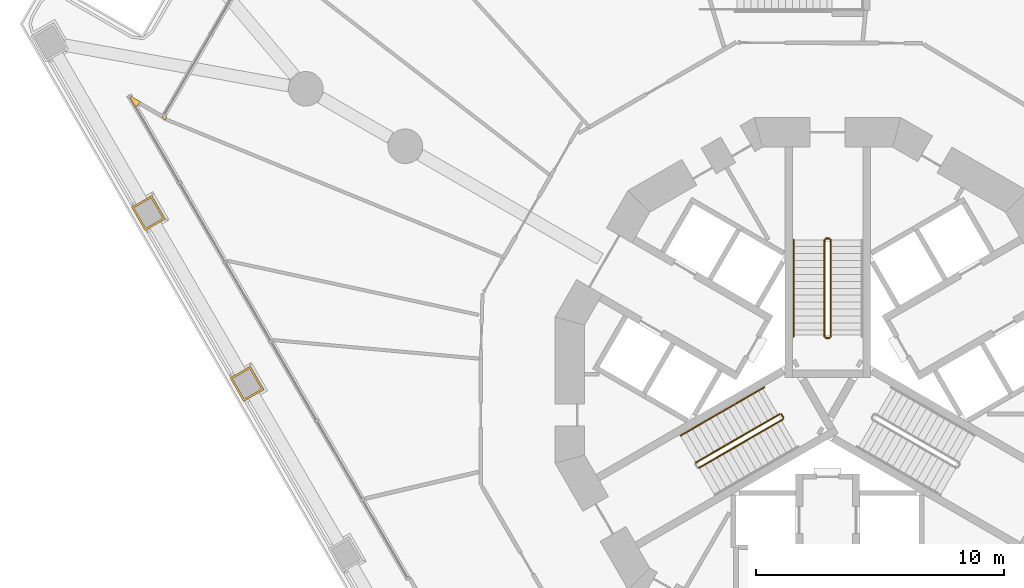
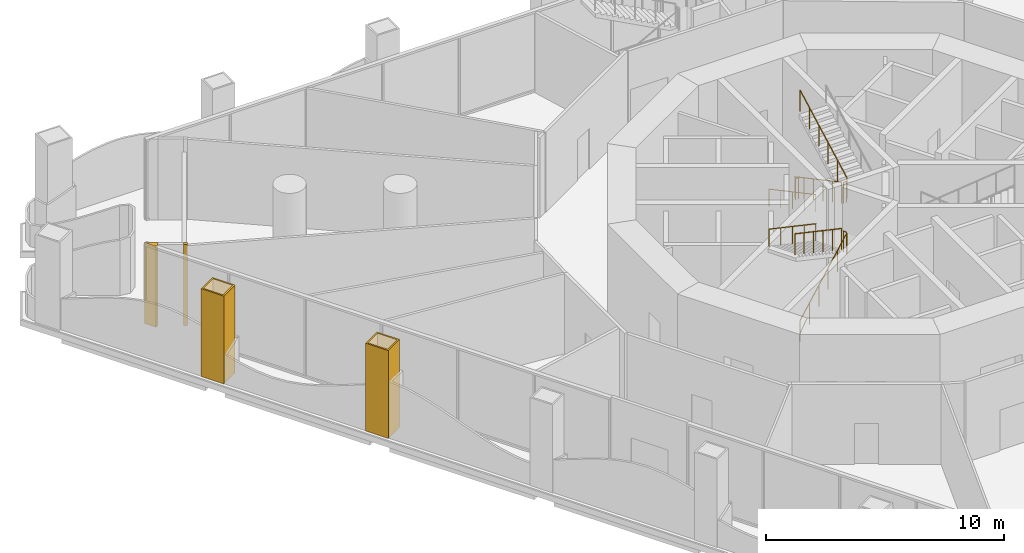
# One storey, part 19 of 22: 10 railings, 4 coverings.
"""IFC4 building model written with IfcOpenShell, lengths in metres."""

from ifc_helpers import new_model, si_unit, direction, frame, origin, origin_2d, place, context, subcontext, project, spatial, polyline, circle, outline, extrude, material, layer, layer_set, type_object, element, save


model = new_model("IFC4")

# Units and contexts
model_context = context("Model", 3, precision=1e-05, world=origin(), true_north=direction((0.0, 1.0)))
body_context = subcontext(model_context, "Body", "Model", "MODEL_VIEW")
ifc_project = project(units=[si_unit("LENGTHUNIT", "METRE"), si_unit("AREAUNIT", "SQUARE_METRE"), si_unit("VOLUMEUNIT", "CUBIC_METRE"), si_unit("PLANEANGLEUNIT", "RADIAN"), si_unit("MASSUNIT", "GRAM", prefix="KILO")], contexts=[model_context])

# Site, building, storey
site_placement = place(None, origin())
site = spatial("IfcSite", under=ifc_project, at=site_placement, CompositionType="ELEMENT")
building_placement = place(site_placement, origin())
building = spatial("IfcBuilding", under=site, at=building_placement, Name="Trine Commons Tower", CompositionType="ELEMENT")
storey_placement = place(building_placement, frame((0.0, 0.0, 22.5)))
storey = spatial("IfcBuildingStorey", under=building, at=storey_placement, Name="L04", CompositionType="ELEMENT", Elevation=22.5)

# Coverings
ifc_material_1 = material(Name="Aluminium-framed insulated wall panel", Category="aluminium")
ifc_layer_1 = layer(ifc_material_1, 0.14990234375)
ifc_layer_set_1 = layer_set([ifc_layer_1], Name="Aluminium-framed insulated wall panel")
covering_type_1 = type_object("IfcCoveringType", Name="Glazing corner post, aluminium", PredefinedType="CLADDING", material=ifc_layer_set_1)
covering_1_placement = place(storey_placement, origin())
element("IfcCovering", 1, at=covering_1_placement, inside=storey, type_object=covering_type_1, Name="Glazing corner post 1-01", PredefinedType="CLADDING", context=body_context, shape_type="SweptSolid", body=[
    extrude(outline(polyline([(51.75634765625, 74.43017578125), (51.75634765625, 74.43017578125), (52.036376953125, 73.9453125), (52.166259765625, 74.020263671875), (52.166259765625, 74.020263671875), (52.166259765625, 74.020263671875), (52.166259765625, 74.020263671875), (52.2412109375, 74.150146484375), (51.75634765625, 74.43017578125)])), origin(), (0.0, 0.0, 1.0), 4.14990234375),
])
covering_2_placement = place(storey_placement, origin())
element("IfcCovering", 2, at=covering_2_placement, inside=storey, type_object=covering_type_1, Name="Glazing corner post 1-02", PredefinedType="CLADDING", context=body_context, shape_type="SweptSolid", body=[
    extrude(outline(polyline([(53.1064453125, 73.4775390625), (53.236328125, 73.402587890625), (53.311279296875, 73.532470703125), (53.181396484375, 73.607421875), (53.1064453125, 73.4775390625)])), origin(), (0.0, 0.0, 1.0), 4.14990234375),
])
ifc_material_2 = material(Name="Limestone, honed", Category="masonry")
ifc_layer_2 = layer(ifc_material_2, 0.074951171875)
ifc_layer_set_2 = layer_set([ifc_layer_2], Name="Limestone, honed")
covering_type_2 = type_object("IfcCoveringType", Name="Limestone column cladding 75", PredefinedType="CLADDING", material=ifc_layer_set_2)
covering_3_placement = place(storey_placement, origin())
element("IfcCovering", 3, at=covering_3_placement, inside=storey, type_object=covering_type_2, Name="Limestone pier cladding 1-06", PredefinedType="CLADDING", context=body_context, shape_type="SweptSolid", body=[
    extrude(outline(polyline([(56.68359375, 63.46630859375), (55.860595703125, 62.9912109375), (56.41064453125, 62.03857421875), (57.2333984375, 62.513671875), (56.68359375, 63.46630859375)]), holes=[polyline([(56.656005859375, 63.36376953125), (55.963134765625, 62.9638671875), (56.438232421875, 62.14111328125), (57.131103515625, 62.541015625), (56.656005859375, 63.36376953125)])]), origin(), (0.0, 0.0, 1.0), 4.5),
])
covering_4_placement = place(storey_placement, origin())
element("IfcCovering", 4, at=covering_4_placement, inside=storey, type_object=covering_type_2, Name="Limestone pier cladding 1-07", PredefinedType="CLADDING", context=body_context, shape_type="SweptSolid", body=[
    extrude(outline(polyline([(52.701904296875, 70.36279296875), (51.87890625, 69.8876953125), (52.428955078125, 68.93505859375), (53.251708984375, 69.41015625), (52.701904296875, 70.36279296875)]), holes=[polyline([(52.67431640625, 70.26025390625), (51.9814453125, 69.8603515625), (52.45654296875, 69.03759765625), (53.1494140625, 69.4375), (52.67431640625, 70.26025390625)])]), origin(), (0.0, 0.0, 1.0), 4.5),
])

# Railings
ifc_material_3 = material(Name="Stainless steel balustrade", Category="steel")
railing_type_1 = type_object("IfcRailingType", Name="Stair guard, steel balustrade 1100", PredefinedType="GUARDRAIL", material=ifc_material_3)
railing_1_placement = place(storey_placement, frame((79.875, 68.570556640625, 0.14990234375)))
element("IfcRailing", 5, at=railing_1_placement, inside=storey, type_object=railing_type_1, Name="L04 ST1A stair guard 1", PredefinedType="GUARDRAIL", context=body_context, shape_type="SweptSolid", body=[
    extrude(circle(Radius=0.02392578125, at=origin_2d()), frame((0.0, 0.0, 1.076171875), z_axis=(0.0, -0.881466911329, 0.472245787945), x_axis=(1.0, 0.0, 0.0)), (0.0, 0.0, 1.0), 4.447021484375),
    extrude(circle(Radius=0.02099609375, at=origin_2d()), origin(), (0.0, 0.0, 1.0), 1.052001953125),
    extrude(circle(Radius=0.02099609375, at=origin_2d()), frame((0.0, -0.783935546875, 0.419921875)), (0.0, 0.0, 1.0), 1.052001953125),
    extrude(circle(Radius=0.02099609375, at=origin_2d()), frame((0.0, -1.56787109375, 0.840087890625)), (0.0, 0.0, 1.0), 1.052001953125),
    extrude(circle(Radius=0.02099609375, at=origin_2d()), frame((0.0, -2.35205078125, 1.260009765625)), (0.0, 0.0, 1.0), 1.052001953125),
    extrude(circle(Radius=0.02099609375, at=origin_2d()), frame((0.0, -3.135986328125, 1.68017578125)), (0.0, 0.0, 1.0), 1.052001953125),
    extrude(circle(Radius=0.02099609375, at=origin_2d()), frame((0.0, -3.919921875, 2.10009765625)), (0.0, 0.0, 1.0), 1.052001953125),
])
railing_2_placement = place(storey_placement, frame((79.925048828125, 64.6005859375, 2.25)))
element("IfcRailing", 6, at=railing_2_placement, inside=storey, type_object=railing_type_1, Name="L04 ST1A stair guard 2", PredefinedType="GUARDRAIL", context=body_context, shape_type="SweptSolid", body=[
    extrude(circle(Radius=0.02392578125, at=origin_2d()), frame((0.0, 0.0, 1.076171875), z_axis=(1.0, 0.0, 0.0), x_axis=(0.0, 1.0, 0.0)), (0.0, 0.0, 1.0), 0.14990234375),
    extrude(circle(Radius=0.02099609375, at=origin_2d()), origin(), (0.0, 0.0, 1.0), 1.052001953125),
    extrude(circle(Radius=0.02099609375, at=origin_2d()), frame((0.14990234375, 0.0, 0.0)), (0.0, 0.0, 1.0), 1.052001953125),
])
railing_3_placement = place(storey_placement, frame((80.125, 64.650634765625, 2.39990234375)))
element("IfcRailing", 7, at=railing_3_placement, inside=storey, type_object=railing_type_1, Name="L04 ST1A stair guard 3", PredefinedType="GUARDRAIL", context=body_context, shape_type="SweptSolid", body=[
    extrude(circle(Radius=0.02392578125, at=origin_2d()), frame((0.0, 0.0, 1.076171875), z_axis=(0.0, 0.881466911329, 0.472245787945), x_axis=(-1.0, 0.0, 0.0)), (0.0, 0.0, 1.0), 4.447021484375),
    extrude(circle(Radius=0.02099609375, at=origin_2d()), origin(), (0.0, 0.0, 1.0), 1.052001953125),
    extrude(circle(Radius=0.02099609375, at=origin_2d()), frame((0.0, 0.783935546875, 0.419921875)), (0.0, 0.0, 1.0), 1.052001953125),
    extrude(circle(Radius=0.02099609375, at=origin_2d()), frame((0.0, 1.56787109375, 0.840087890625)), (0.0, 0.0, 1.0), 1.052001953125),
    extrude(circle(Radius=0.02099609375, at=origin_2d()), frame((0.0, 2.35205078125, 1.260009765625)), (0.0, 0.0, 1.0), 1.052001953125),
    extrude(circle(Radius=0.02099609375, at=origin_2d()), frame((0.0, 3.135986328125, 1.68017578125)), (0.0, 0.0, 1.0), 1.052001953125),
    extrude(circle(Radius=0.02099609375, at=origin_2d()), frame((0.0, 3.919921875, 2.10009765625)), (0.0, 0.0, 1.0), 1.052001953125),
])
railing_4_placement = place(storey_placement, frame((79.925048828125, 68.62060546875, 0.0)))
element("IfcRailing", 8, at=railing_4_placement, inside=storey, type_object=railing_type_1, Name="L04 ST1A stair guard 4", PredefinedType="GUARDRAIL", context=body_context, shape_type="SweptSolid", body=[
    extrude(circle(Radius=0.02392578125, at=origin_2d()), frame((0.0, 0.0, 1.076171875), z_axis=(1.0, 0.0, 0.0), x_axis=(0.0, 1.0, 0.0)), (0.0, 0.0, 1.0), 0.14990234375),
    extrude(circle(Radius=0.02099609375, at=origin_2d()), origin(), (0.0, 0.0, 1.0), 1.052001953125),
    extrude(circle(Radius=0.02099609375, at=origin_2d()), frame((0.14990234375, 0.0, 0.0)), (0.0, 0.0, 1.0), 1.052001953125),
])
railing_5_placement = place(storey_placement, frame((74.80517578125, 59.3564453125, 0.14990234375)))
element("IfcRailing", 9, at=railing_5_placement, inside=storey, type_object=railing_type_1, Name="L04 ST2A stair guard 1", PredefinedType="GUARDRAIL", context=body_context, shape_type="SweptSolid", body=[
    extrude(circle(Radius=0.02392578125, at=origin_2d()), frame((0.0, 0.0, 1.076171875), z_axis=(0.763374939589, 0.440731680332, 0.472243885677), x_axis=(-0.499997407846, 0.86602690036, 0.0)), (0.0, 0.0, 1.0), 4.447021484375),
    extrude(circle(Radius=0.02099609375, at=origin_2d()), origin(), (0.0, 0.0, 1.0), 1.052001953125),
    extrude(circle(Radius=0.02099609375, at=origin_2d()), frame((0.678955078125, 0.39208984375, 0.419921875)), (0.0, 0.0, 1.0), 1.052001953125),
    extrude(circle(Radius=0.02099609375, at=origin_2d()), frame((1.35791015625, 0.783935546875, 0.840087890625)), (0.0, 0.0, 1.0), 1.052001953125),
    extrude(circle(Radius=0.02099609375, at=origin_2d()), frame((2.036865234375, 1.176025390625, 1.260009765625)), (0.0, 0.0, 1.0), 1.052001953125),
    extrude(circle(Radius=0.02099609375, at=origin_2d()), frame((2.7158203125, 1.56787109375, 1.68017578125)), (0.0, 0.0, 1.0), 1.052001953125),
    extrude(circle(Radius=0.02099609375, at=origin_2d()), frame((3.394775390625, 1.9599609375, 2.10009765625)), (0.0, 0.0, 1.0), 1.052001953125),
])
railing_6_placement = place(storey_placement, frame((78.21826171875, 61.384765625, 2.25)))
element("IfcRailing", 10, at=railing_6_placement, inside=storey, type_object=railing_type_1, Name="L04 ST2A stair guard 2", PredefinedType="GUARDRAIL", context=body_context, shape_type="SweptSolid", body=[
    extrude(circle(Radius=0.02392578125, at=origin_2d()), frame((0.0, 0.0, 1.076171875), z_axis=(-0.499816412211, 0.866131372301, 0.0), x_axis=(-0.866131372301, -0.499816412211, 0.0)), (0.0, 0.0, 1.0), 0.14990234375),
    extrude(circle(Radius=0.02099609375, at=origin_2d()), origin(), (0.0, 0.0, 1.0), 1.052001953125),
    extrude(circle(Radius=0.02099609375, at=origin_2d()), frame((-0.074951171875, 0.1298828125, 0.0)), (0.0, 0.0, 1.0), 1.052001953125),
])
railing_7_placement = place(storey_placement, frame((78.074951171875, 61.532958984375, 2.39990234375)))
element("IfcRailing", 11, at=railing_7_placement, inside=storey, type_object=railing_type_1, Name="L04 ST2A stair guard 3", PredefinedType="GUARDRAIL", context=body_context, shape_type="SweptSolid", body=[
    extrude(circle(Radius=0.02392578125, at=origin_2d()), frame((0.0, 0.0, 1.076171875), z_axis=(-0.763374939589, -0.440731680332, 0.472243885677), x_axis=(0.499997407846, -0.86602690036, 0.0)), (0.0, 0.0, 1.0), 4.447021484375),
    extrude(circle(Radius=0.02099609375, at=origin_2d()), origin(), (0.0, 0.0, 1.0), 1.052001953125),
    extrude(circle(Radius=0.02099609375, at=origin_2d()), frame((-0.678955078125, -0.39208984375, 0.419921875)), (0.0, 0.0, 1.0), 1.052001953125),
    extrude(circle(Radius=0.02099609375, at=origin_2d()), frame((-1.35791015625, -0.783935546875, 0.840087890625)), (0.0, 0.0, 1.0), 1.052001953125),
    extrude(circle(Radius=0.02099609375, at=origin_2d()), frame((-2.036865234375, -1.176025390625, 1.260009765625)), (0.0, 0.0, 1.0), 1.052001953125),
    extrude(circle(Radius=0.02099609375, at=origin_2d()), frame((-2.7158203125, -1.56787109375, 1.68017578125)), (0.0, 0.0, 1.0), 1.052001953125),
    extrude(circle(Radius=0.02099609375, at=origin_2d()), frame((-3.394775390625, -1.9599609375, 2.10009765625)), (0.0, 0.0, 1.0), 1.052001953125),
])
ifc_material_4 = material(Name="Stainless steel handrail", Category="steel")
railing_type_2 = type_object("IfcRailingType", Name="Stair handrail, steel 900", PredefinedType="HANDRAIL", material=ifc_material_4)
railing_8_placement = place(storey_placement, frame((78.625, 68.570556640625, 0.14990234375)))
element("IfcRailing", 12, at=railing_8_placement, inside=storey, type_object=railing_type_2, Name="L04 ST1A stair handrail 1", PredefinedType="HANDRAIL", context=body_context, shape_type="SweptSolid", body=[
    extrude(circle(Radius=0.02099609375, at=origin_2d()), frame((0.0, 0.0, 0.87890625), z_axis=(0.0, -0.881466911329, 0.472245787945), x_axis=(1.0, 0.0, 0.0)), (0.0, 0.0, 1.0), 4.447021484375),
    extrude(circle(Radius=0.01513671875, at=origin_2d()), origin(), (0.0, 0.0, 1.0), 0.85791015625),
    extrude(circle(Radius=0.01513671875, at=origin_2d()), frame((0.0, -0.97998046875, 0.52490234375)), (0.0, 0.0, 1.0), 0.85791015625),
    extrude(circle(Radius=0.01513671875, at=origin_2d()), frame((0.0, -1.9599609375, 1.050048828125)), (0.0, 0.0, 1.0), 0.85791015625),
    extrude(circle(Radius=0.01513671875, at=origin_2d()), frame((0.0, -2.93994140625, 1.5751953125)), (0.0, 0.0, 1.0), 0.85791015625),
    extrude(circle(Radius=0.01513671875, at=origin_2d()), frame((0.0, -3.919921875, 2.10009765625)), (0.0, 0.0, 1.0), 0.85791015625),
])
railing_9_placement = place(storey_placement, frame((77.449951171875, 62.615478515625, 2.39990234375)))
element("IfcRailing", 13, at=railing_9_placement, inside=storey, type_object=railing_type_2, Name="L04 ST2A stair handrail 3", PredefinedType="HANDRAIL", context=body_context, shape_type="SweptSolid", body=[
    extrude(circle(Radius=0.02099609375, at=origin_2d()), frame((0.0, 0.0, 0.87890625), z_axis=(-0.763352030933, -0.440750151347, 0.472263677365), x_axis=(0.500024377727, -0.866011328839, 0.0)), (0.0, 0.0, 1.0), 2.223388671875),
    extrude(circle(Radius=0.01513671875, at=origin_2d()), origin(), (0.0, 0.0, 1.0), 0.85791015625),
    extrude(circle(Radius=0.01513671875, at=origin_2d()), frame((-0.8486328125, -0.489990234375, 0.52490234375)), (0.0, 0.0, 1.0), 0.85791015625),
    extrude(circle(Radius=0.01513671875, at=origin_2d()), frame((-1.697265625, -0.97998046875, 1.050048828125)), (0.0, 0.0, 1.0), 0.85791015625),
])
railing_10_placement = place(storey_placement, frame((75.752685546875, 61.635498046875, 3.449951171875)))
element("IfcRailing", 14, at=railing_10_placement, inside=storey, type_object=railing_type_2, Name="L04 ST2A stair handrail 4", PredefinedType="HANDRAIL", context=body_context, shape_type="SweptSolid", body=[
    extrude(circle(Radius=0.02099609375, at=origin_2d()), frame((0.0, 0.0, 0.87890625), z_axis=(-0.763397845365, -0.440713210311, 0.472224095054), x_axis=(0.499970440388, -0.866042469362, 0.0)), (0.0, 0.0, 1.0), 2.2236328125),
    extrude(circle(Radius=0.01513671875, at=origin_2d()), origin(), (0.0, 0.0, 1.0), 0.85791015625),
    extrude(circle(Radius=0.01513671875, at=origin_2d()), frame((-0.8486328125, -0.489990234375, 0.52490234375)), (0.0, 0.0, 1.0), 0.85791015625),
    extrude(circle(Radius=0.01513671875, at=origin_2d()), frame((-1.697509765625, -0.97998046875, 1.050048828125)), (0.0, 0.0, 1.0), 0.85791015625),
])

save(model, "model.ifc")
